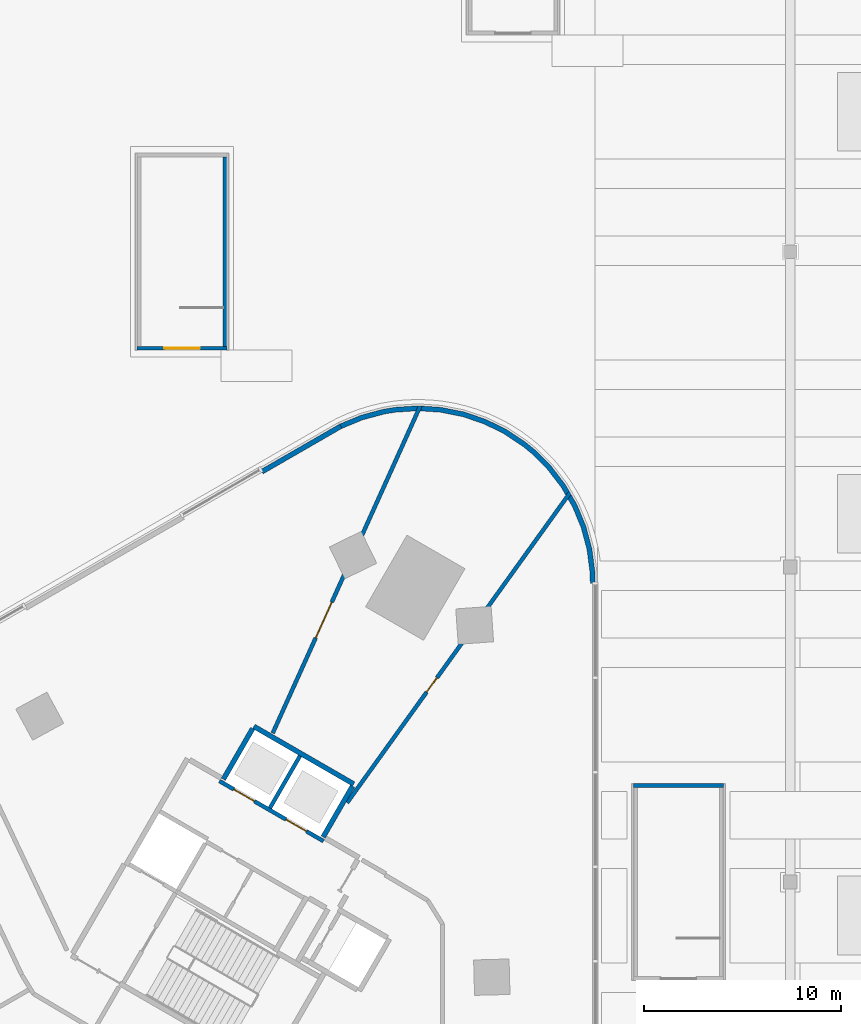
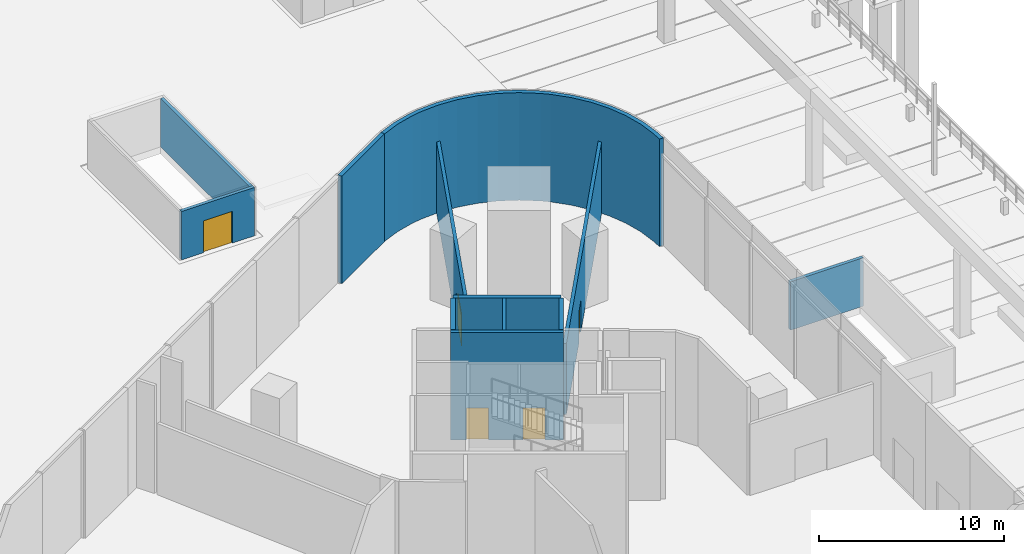
# One storey, part 24 of 41: 12 walls, 5 doors, 5 openings.
"""IFC4 building model written with IfcOpenShell, lengths in metres."""

from ifc_helpers import new_model, si_unit, direction, frame, frame_2d, origin, place, context, subcontext, project, spatial, polyline, rectangle, outline, extrude, material, layer, layer_set, type_object, element, fill, save


model = new_model("IFC4")

# Units and contexts
model_context = context("Model", 3, precision=1e-05, world=origin(), true_north=direction((0.0, 1.0)))
body_context = subcontext(model_context, "Body", "Model", "MODEL_VIEW")
ifc_project = project(units=[si_unit("LENGTHUNIT", "METRE"), si_unit("AREAUNIT", "SQUARE_METRE"), si_unit("VOLUMEUNIT", "CUBIC_METRE"), si_unit("PLANEANGLEUNIT", "RADIAN"), si_unit("MASSUNIT", "GRAM", prefix="KILO")], contexts=[model_context])

# Site, building, storey
site_placement = place(None, origin())
site = spatial("IfcSite", under=ifc_project, at=site_placement, CompositionType="ELEMENT")
building_placement = place(site_placement, origin())
building = spatial("IfcBuilding", under=site, at=building_placement, Name="Tamra Quay Hotel Tower", CompositionType="ELEMENT")
storey_placement = place(building_placement, origin())
storey = spatial("IfcBuildingStorey", under=building, at=storey_placement, Name="L00", CompositionType="ELEMENT", Elevation=0.0)

# Wall, openings, doors
ifc_material_1 = material(Name="Concrete M70", Category="concrete")
ifc_layer_1 = layer(ifc_material_1, 0.199951171875)
ifc_layer_set_1 = layer_set([ifc_layer_1], Name="Concrete M70 core wall 200")
wall_type_1 = type_object("IfcWallType", Name="Concrete M70 core wall 200", PredefinedType="SHEAR", material=ifc_layer_set_1)
wall_1_placement = place(storey_placement, frame((13.209716796875, 18.07958984375, 0.0), z_axis=(0.0, 0.0, 1.0), x_axis=(-0.866030299012, 0.499991521122, 0.0)))
wall_1 = element("IfcWall", 1, at=wall_1_placement, inside=storey, type_object=wall_type_1, Name="CW2", PredefinedType="SHEAR", context=body_context, shape_type="SweptSolid", body=[
    extrude(rectangle(XDim=6.10009765625, YDim=0.199951171875, at=frame_2d((3.050048828125, 0.0))), origin(), (0.0, 0.0, 1.0), 7.10009765625),
])
opening_1_placement = place(wall_1_placement, frame((1.0, 0.0, 0.0)))
opening_1 = element("IfcOpeningElement", 2, at=opening_1_placement, cuts=wall_1, Name="Opening LD", PredefinedType="OPENING", context=body_context, shape_type="SweptSolid", body=[
    extrude(rectangle(XDim=1.199951171875, YDim=2.10009765625, at=frame_2d((0.60009765625, 1.050048828125))), frame((0.0, 0.10986328125, 0.0), z_axis=(0.0, -1.0, 0.0), x_axis=(1.0, 0.0, 0.0)), (0.0, 0.0, 1.0), 0.219970703125),
])
opening_2_placement = place(wall_1_placement, frame((4.05029296875, 0.0, 0.0)))
opening_2 = element("IfcOpeningElement", 3, at=opening_2_placement, cuts=wall_1, Name="Opening LD", PredefinedType="OPENING", context=body_context, shape_type="SweptSolid", body=[
    extrude(rectangle(XDim=1.199951171875, YDim=2.10009765625, at=frame_2d((0.60009765625, 1.050048828125))), frame((0.0, 0.10986328125, 0.0), z_axis=(0.0, -1.0, 0.0), x_axis=(1.0, 0.0, 0.0)), (0.0, 0.0, 1.0), 0.219970703125),
])
ifc_material_2 = material(Name="Landing door LD 1200 double door sliding")
door_type_1 = type_object("IfcDoorType", Name="Landing door LD 1200 double door sliding", OperationType="DOUBLE_DOOR_SLIDING", PredefinedType="DOOR", material=ifc_material_2)
door_1_placement = place(opening_1_placement, origin())
door_1 = element("IfcDoor", 4, at=door_1_placement, inside=storey, type_object=door_type_1, Name="LD", OperationType="DOUBLE_DOOR_SLIDING", OverallHeight=2.10009765625, OverallWidth=1.199951171875, PredefinedType="DOOR", context=body_context, shape_type="SweptSolid", body=[
    extrude(rectangle(XDim=1.199951171875, YDim=2.10009765625, at=frame_2d((0.60009765625, 1.050048828125))), frame((0.0, 0.02490234375, 0.0), z_axis=(0.0, -1.0, 0.0), x_axis=(1.0, 0.0, 0.0)), (0.0, 0.0, 1.0), 0.050048828125),
])
fill(opening_1, door_1)
door_2_placement = place(opening_2_placement, origin())
door_2 = element("IfcDoor", 5, at=door_2_placement, inside=storey, type_object=door_type_1, Name="LD", OperationType="DOUBLE_DOOR_SLIDING", OverallHeight=2.10009765625, OverallWidth=1.199951171875, PredefinedType="DOOR", context=body_context, shape_type="SweptSolid", body=[
    extrude(rectangle(XDim=1.199951171875, YDim=2.10009765625, at=frame_2d((0.60009765625, 1.050048828125))), frame((0.0, 0.02490234375, 0.0), z_axis=(0.0, -1.0, 0.0), x_axis=(1.0, 0.0, 0.0)), (0.0, 0.0, 1.0), 0.050048828125),
])
fill(opening_2, door_2)

# Walls
wall_2_placement = place(storey_placement, frame((10.48876953125, 19.76708984375, 0.0), z_axis=(0.0, 0.0, 1.0), x_axis=(0.499946628782, 0.866056215479, 0.0)))
element("IfcWall", 6, at=wall_2_placement, inside=storey, type_object=wall_type_1, Name="CW2", PredefinedType="SHEAR", context=body_context, shape_type="SweptSolid", body=[
    extrude(rectangle(XDim=3.048095703125, YDim=0.199951171875, at=frame_2d((1.52392578125, 0.0))), origin(), (0.0, 0.0, 1.0), 7.10009765625),
])
ifc_layer_2 = layer(ifc_material_1, 0.25)
ifc_layer_set_2 = layer_set([ifc_layer_2], Name="Concrete M70 core wall 250")
wall_type_2 = type_object("IfcWallType", Name="Concrete M70 core wall 250", PredefinedType="SHEAR", material=ifc_layer_set_2)
wall_3_placement = place(storey_placement, frame((9.672607421875, 23.9033203125, 0.0), z_axis=(0.0, 0.0, 1.0), x_axis=(0.86603616409, -0.499981362141, 0.0)))
element("IfcWall", 7, at=wall_3_placement, inside=storey, type_object=wall_type_2, Name="CW1", PredefinedType="SHEAR", context=body_context, shape_type="SweptSolid", body=[
    extrude(rectangle(XDim=5.849853515625, YDim=0.25, at=frame_2d((2.9248046875, 0.0))), origin(), (0.0, 0.0, 1.0), 7.10009765625),
])
for number, where, z_axis, x_axis, name in (
    (8, (8.12255859375, 21.21875, 0.0), (0.0, 0.0, 1.0), (0.499987686533, 0.866032512851, 0.0), "CW1"),
    (9, (14.67626953125, 20.869873046875, 0.0), (0.0, 0.0, 1.0), (-0.499987686533, -0.866032512851, 0.0), "CW1"),
):
    element("IfcWall", number, at=place(storey_placement, frame(where, z_axis=z_axis, x_axis=x_axis)), inside=storey, type_object=wall_type_2, Name=name, PredefinedType="SHEAR", context=body_context, shape_type="SweptSolid", body=[
        extrude(rectangle(XDim=2.974609375, YDim=0.25, at=frame_2d((1.4873046875, 0.0))), origin(), (0.0, 0.0, 1.0), 7.10009765625),
    ])
ifc_layer_3 = layer(ifc_material_1, 0.199951171875)
ifc_layer_set_3 = layer_set([ifc_layer_3], Name="Concrete M70 stair enclosure wall 200")
wall_type_3 = type_object("IfcWallType", Name="Concrete M70 stair enclosure wall 200", PredefinedType="SOLIDWALL", material=ifc_layer_set_3)
wall_4_placement = place(storey_placement, frame((8.199951171875, 43.199951171875, 0.0), z_axis=(0.0, 0.0, 1.0), x_axis=(0.0, 1.0, 0.0)))
element("IfcWall", 10, at=wall_4_placement, inside=storey, type_object=wall_type_3, Name="SEW", PredefinedType="SOLIDWALL", context=body_context, shape_type="SweptSolid", body=[
    extrude(rectangle(XDim=9.60009765625, YDim=0.199951171875, at=frame_2d((4.800048828125, 0.0))), origin(), (0.0, 0.0, 1.0), 3.199951171875),
])

# Wall, opening, door
wall_5_placement = place(storey_placement, frame((8.300048828125, 43.10009765625, 0.0), z_axis=(0.0, 0.0, 1.0), x_axis=(-1.0, 0.0, 0.0)))
wall_5 = element("IfcWall", 11, at=wall_5_placement, inside=storey, type_object=wall_type_3, Name="SEW", PredefinedType="SOLIDWALL", context=body_context, shape_type="SweptSolid", body=[
    extrude(rectangle(XDim=4.550048828125, YDim=0.199951171875, at=frame_2d((2.27490234375, 0.0))), origin(), (0.0, 0.0, 1.0), 3.199951171875),
])
opening_3_placement = place(wall_5_placement, frame((1.375, 0.0, 0.0)))
opening_3 = element("IfcOpeningElement", 12, at=opening_3_placement, cuts=wall_5, Name="Opening SD2", PredefinedType="OPENING", context=body_context, shape_type="SweptSolid", body=[
    extrude(rectangle(XDim=1.800048828125, YDim=2.10009765625, at=frame_2d((0.89990234375, 1.050048828125))), frame((0.0, 0.10986328125, 0.0), z_axis=(0.0, -1.0, 0.0), x_axis=(1.0, 0.0, 0.0)), (0.0, 0.0, 1.0), 0.219970703125),
])
ifc_material_3 = material(Name="Stair discharge door 1800 x 2100")
door_type_2 = type_object("IfcDoorType", Name="Stair discharge door 1800 x 2100", OperationType="DOUBLE_DOOR_SINGLE_SWING", PredefinedType="DOOR", material=ifc_material_3)
door_3_placement = place(opening_3_placement, origin())
door_3 = element("IfcDoor", 13, at=door_3_placement, inside=storey, type_object=door_type_2, Name="SD2", OperationType="DOUBLE_DOOR_SINGLE_SWING", OverallHeight=2.10009765625, OverallWidth=1.800048828125, PredefinedType="DOOR", context=body_context, shape_type="SweptSolid", body=[
    extrude(rectangle(XDim=1.800048828125, YDim=2.10009765625, at=frame_2d((0.89990234375, 1.050048828125))), frame((0.0, 0.02490234375, 0.0), z_axis=(0.0, -1.0, 0.0), x_axis=(1.0, 0.0, 0.0)), (0.0, 0.0, 1.0), 0.050048828125),
])
fill(opening_3, door_3)

# Walls
wall_6_placement = place(storey_placement, frame((28.949951171875, 20.89990234375, 0.0), z_axis=(0.0, 0.0, 1.0), x_axis=(1.0, 0.0, 0.0)))
element("IfcWall", 14, at=wall_6_placement, inside=storey, type_object=wall_type_3, Name="SEW", PredefinedType="SOLIDWALL", context=body_context, shape_type="SweptSolid", body=[
    extrude(rectangle(XDim=4.550048828125, YDim=0.199951171875, at=frame_2d((2.27490234375, 0.0))), origin(), (0.0, 0.0, 1.0), 3.199951171875),
])
ifc_material_4 = material(Name="Blockwork masonry plastered", Category="masonry")
ifc_layer_4 = layer(ifc_material_4, 0.25)
ifc_layer_set_4 = layer_set([ifc_layer_4], Name="EXTERNAL WALL 250")
wall_type_4 = type_object("IfcWallType", Name="EXTERNAL WALL 250", PredefinedType="SOLIDWALL", material=ifc_layer_set_4)
wall_7_placement = place(storey_placement, origin())
element("IfcWall", 15, at=wall_7_placement, inside=storey, type_object=wall_type_4, Name="EW1", PredefinedType="SOLIDWALL", context=body_context, shape_type="SweptSolid", body=[
    extrude(outline(polyline([(27.0, 31.177001953125), (26.980712890625, 31.765625), (26.8271484375, 32.9326171875), (26.5224609375, 34.06982421875), (26.07177734375, 35.157470703125), (25.483154296875, 36.177001953125), (24.7666015625, 37.111083984375), (23.93408203125, 37.943359375), (23.478759765625, 38.317138671875), (22.5, 38.97119140625), (21.444091796875, 39.491943359375), (20.329345703125, 39.870361328125), (19.1748046875, 40.099853515625), (18.0, 40.177001953125), (16.8251953125, 40.099853515625), (16.244140625, 40.00390625), (15.10693359375, 39.69921875), (14.019287109375, 39.248779296875), (14.114990234375, 39.017822265625), (15.1875, 39.462158203125), (16.297119140625, 39.75927734375), (16.853759765625, 39.851318359375), (18.0, 39.92626953125), (19.14208984375, 39.8515625), (20.2646484375, 39.628173828125), (21.348388671875, 39.26025390625), (22.374755859375, 38.754150390625), (23.329833984375, 38.115966796875), (23.76611328125, 37.758056640625), (24.578125, 36.94580078125), (25.27490234375, 36.037841796875), (25.84716796875, 35.046630859375), (26.28515625, 33.9892578125), (26.581298828125, 32.8837890625), (26.731201171875, 31.7451171875), (26.750244140625, 31.168701171875), (27.0, 31.177001953125)])), origin(), (0.0, 0.0, 1.0), 7.10009765625),
])
wall_8_placement = place(storey_placement, frame((10.080078125, 36.83203125, 0.0), z_axis=(0.0, 0.0, 1.0), x_axis=(0.866216377649, 0.499669077583, 0.0)))
element("IfcWall", 16, at=wall_8_placement, inside=storey, type_object=wall_type_4, Name="EW1", PredefinedType="SOLIDWALL", context=body_context, shape_type="SweptSolid", body=[
    extrude(rectangle(XDim=4.619873046875, YDim=0.25, at=frame_2d((2.31005859375, 0.0))), origin(), (0.0, 0.0, 1.0), 7.10009765625),
])

# Wall, opening, door
ifc_material_5 = material(Name="Partition party wall")
ifc_layer_5 = layer(ifc_material_5, 0.199951171875)
ifc_layer_set_5 = layer_set([ifc_layer_5], Name="Partition party wall")
wall_type_5 = type_object("IfcWallType", Name="Partition party wall", PredefinedType="PARTITIONING", material=ifc_layer_set_5)
wall_9_placement = place(storey_placement, frame((10.629638671875, 23.564453125, 0.0), z_axis=(0.0, 0.0, 1.0), x_axis=(0.411194888758, 0.911547455407, 0.0)))
wall_9 = element("IfcWall", 17, at=wall_9_placement, inside=storey, type_object=wall_type_5, Name="W-P", PredefinedType="PARTITIONING", context=body_context, shape_type="SweptSolid", body=[
    extrude(rectangle(XDim=18.215087890625, YDim=0.199951171875, at=frame_2d((9.107421875, 0.0))), origin(), (0.0, 0.0, 1.0), 4.699951171875),
])
opening_4_placement = place(wall_9_placement, frame((5.300048828125, 0.0, 0.0)))
opening_4 = element("IfcOpeningElement", 18, at=opening_4_placement, cuts=wall_9, Name="Opening L00-D014", PredefinedType="OPENING", context=body_context, shape_type="SweptSolid", body=[
    extrude(rectangle(XDim=2.0, YDim=2.10009765625, at=frame_2d((1.0, 1.050048828125))), frame((0.0, 0.10986328125, 0.0), z_axis=(0.0, -1.0, 0.0), x_axis=(1.0, 0.0, 0.0)), (0.0, 0.0, 1.0), 0.219970703125),
])
ifc_material_6 = material(Name="Door double leaf 2000x2100")
door_type_3 = type_object("IfcDoorType", Name="Door double leaf 2000x2100", OperationType="DOUBLE_DOOR_SINGLE_SWING", PredefinedType="DOOR", material=ifc_material_6)
door_4_placement = place(opening_4_placement, origin())
door_4 = element("IfcDoor", 19, at=door_4_placement, inside=storey, type_object=door_type_3, Name="L00-D014", OperationType="DOUBLE_DOOR_SINGLE_SWING", OverallHeight=2.10009765625, OverallWidth=2.0, PredefinedType="DOOR", context=body_context, shape_type="SweptSolid", body=[
    extrude(rectangle(XDim=2.0, YDim=2.10009765625, at=frame_2d((1.0, 1.050048828125))), frame((0.0, 0.02490234375, 0.0), z_axis=(0.0, -1.0, 0.0), x_axis=(1.0, 0.0, 0.0)), (0.0, 0.0, 1.0), 0.050048828125),
])
fill(opening_4, door_4)

wall_10_placement = place(storey_placement, frame((14.404541015625, 20.029296875, 0.0), z_axis=(0.0, 0.0, 1.0), x_axis=(0.583802556312, 0.811895667709, 0.0)))
wall_10 = element("IfcWall", 20, at=wall_10_placement, inside=storey, type_object=wall_type_5, Name="W-P", PredefinedType="PARTITIONING", context=body_context, shape_type="SweptSolid", body=[
    extrude(rectangle(XDim=19.394775390625, YDim=0.199951171875, at=frame_2d((9.697265625, 0.0))), origin(), (0.0, 0.0, 1.0), 4.699951171875),
])
opening_5_placement = place(wall_10_placement, frame((6.914794921875, 0.0, 0.0)))
opening_5 = element("IfcOpeningElement", 21, at=opening_5_placement, cuts=wall_10, Name="Opening L00-D013", PredefinedType="OPENING", context=body_context, shape_type="SweptSolid", body=[
    extrude(rectangle(XDim=0.89990234375, YDim=2.10009765625, at=frame_2d((0.449951171875, 1.050048828125))), frame((0.0, 0.10986328125, 0.0), z_axis=(0.0, -1.0, 0.0), x_axis=(1.0, 0.0, 0.0)), (0.0, 0.0, 1.0), 0.219970703125),
])
ifc_material_7 = material(Name="Door service room 900x2100")
door_type_4 = type_object("IfcDoorType", Name="Door service room 900x2100", OperationType="NOTDEFINED", PredefinedType="DOOR", material=ifc_material_7)
door_5_placement = place(opening_5_placement, origin())
door_5 = element("IfcDoor", 22, at=door_5_placement, inside=storey, type_object=door_type_4, Name="L00-D013", OperationType="SINGLE_SWING_LEFT", OverallHeight=2.10009765625, OverallWidth=0.89990234375, PredefinedType="DOOR", context=body_context, shape_type="SweptSolid", body=[
    extrude(rectangle(XDim=0.89990234375, YDim=2.10009765625, at=frame_2d((0.449951171875, 1.050048828125))), frame((0.0, 0.02490234375, 0.0), z_axis=(0.0, -1.0, 0.0), x_axis=(1.0, 0.0, 0.0)), (0.0, 0.0, 1.0), 0.050048828125),
])
fill(opening_5, door_5)

save(model, "model.ifc")
